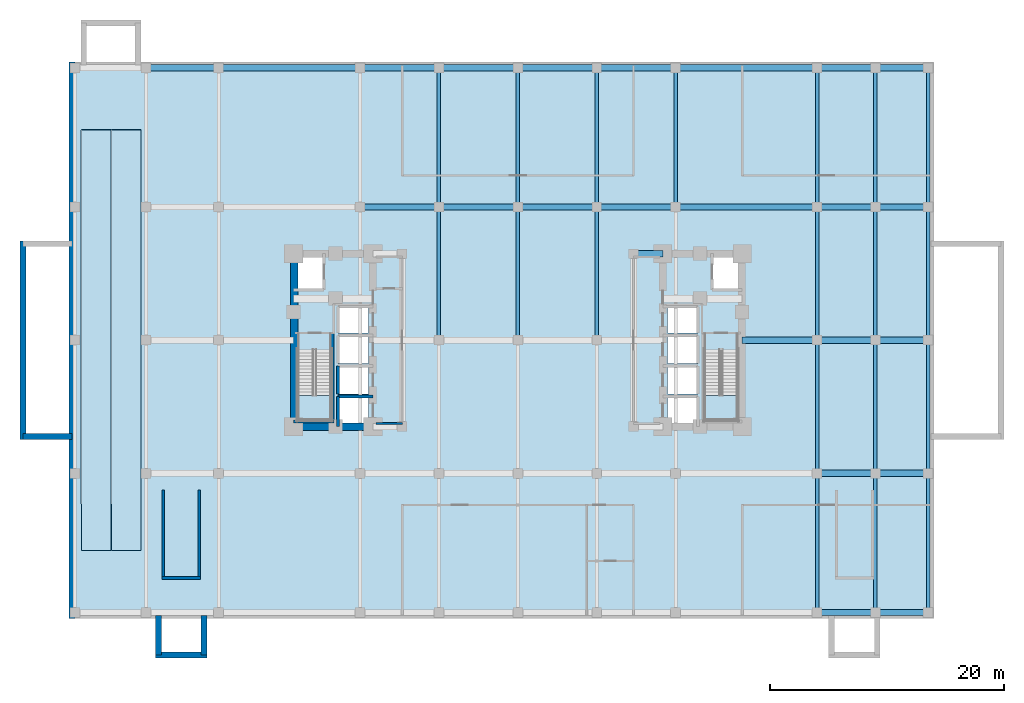
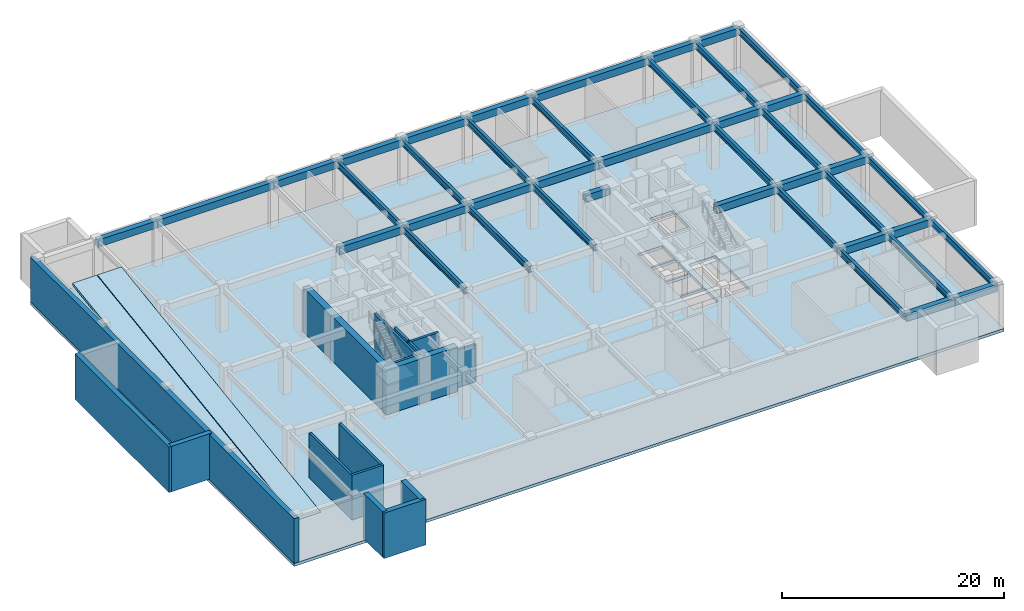
# One storey, part 2 of 7: 43 beams, 17 walls, 5 slabs, 2 elements without a shape of their own.
"""IFC4 building model written with IfcOpenShell, lengths in metres."""

import ifcopenshell
import ifcopenshell.guid

model = None  # the IFC model being written
_history = None  # IfcOwnerHistory: only IFC2X3 demands one
_inside = {}  # id of a spatial element -> (the spatial element, [elements in it])
_under = {}  # id of a project, library or spatial element -> (it, [spatial elements below it])
_declared = {}  # id of a project -> (the project, [libraries it declares])
_typed = {}  # id of a type object -> (the type object, [elements of that type])
_made_of = {}  # id of a material, layer set ... -> (it, [elements and type objects made of it])


def new_model(schema):
    """Start an empty IFC model of exactly this schema.

    Asked for "IFC4X3", IfcOpenShell would pick the latest addendum, in which some entities
    have other attributes; the version numbers below select the first issue.
    IFC2X3 requires an IfcOwnerHistory on every rooted entity: one is made here for all.
    """
    global model, _history
    if schema == "IFC4X3":
        model = ifcopenshell.file(schema_version=(4, 3, 0, 0))
    else:
        model = ifcopenshell.file(schema=schema)
    _inside.clear()
    _under.clear()
    _declared.clear()
    _typed.clear()
    _made_of.clear()
    _history = None
    if model.schema == "IFC2X3":
        org = make("IfcOrganization", Name="unknown")
        user = make(
            "IfcPersonAndOrganization",
            ThePerson=make("IfcPerson", FamilyName="unknown"),
            TheOrganization=org,
        )
        app = make(
            "IfcApplication",
            ApplicationDeveloper=org,
            Version="unknown",
            ApplicationFullName="unknown",
            ApplicationIdentifier="unknown",
        )
        _history = make(
            "IfcOwnerHistory",
            OwningUser=user,
            OwningApplication=app,
            ChangeAction="ADDED",
            CreationDate=0,
        )
    return model


def make(cls, **values):
    """One entity of the class cls with the attributes given. An attribute that is None is left unset."""
    return model.create_entity(
        cls, **{name: value for name, value in values.items() if value is not None}
    )


def rooted(cls, **values):
    """An entity with a GlobalId (a new one), such as an element, a storey or a relation."""
    return make(cls, GlobalId=ifcopenshell.guid.new(), OwnerHistory=_history, **values)


def si_unit(unit_type, name, prefix=None):
    """IfcSIUnit, for example si_unit("LENGTHUNIT", "METRE", prefix="MILLI")."""
    return make("IfcSIUnit", UnitType=unit_type, Prefix=prefix, Name=name)


def assignment(units):
    """IfcUnitAssignment: the units of a project."""
    return None if units is None else make("IfcUnitAssignment", Units=units)


def point(xyz):
    """IfcCartesianPoint."""
    return None if xyz is None else make("IfcCartesianPoint", Coordinates=xyz)


def direction(xyz):
    """IfcDirection."""
    return None if xyz is None else make("IfcDirection", DirectionRatios=xyz)


def frame(location, z_axis=None, x_axis=None):
    """IfcAxis2Placement3D, a coordinate frame: its origin and axes. An axis left out is left unset."""
    return make(
        "IfcAxis2Placement3D",
        Location=point(location),
        Axis=direction(z_axis),
        RefDirection=direction(x_axis),
    )


def frame_2d(location, x_axis=None):
    """IfcAxis2Placement2D, a coordinate frame in the plane: its origin and x axis."""
    return make(
        "IfcAxis2Placement2D", Location=point(location), RefDirection=direction(x_axis)
    )


def origin():
    """The frame at (0, 0, 0) with its axes left unset."""
    return frame((0.0, 0.0, 0.0))


def origin_2d():
    """The frame at (0, 0) in the plane with its x axis left unset."""
    return frame_2d((0.0, 0.0))


def place(relative_to, where):
    """IfcLocalPlacement: puts the frame where relative to a parent placement (None: the world)."""
    return make(
        "IfcLocalPlacement", PlacementRelTo=relative_to, RelativePlacement=where
    )


def context(
    kind, dimensions, precision=None, world=None, true_north=None, identifier=None
):
    """IfcGeometricRepresentationContext, for example the 3D "Model" context."""
    return make(
        "IfcGeometricRepresentationContext",
        ContextIdentifier=identifier,
        ContextType=kind,
        CoordinateSpaceDimension=dimensions,
        Precision=precision,
        WorldCoordinateSystem=world,
        TrueNorth=true_north,
    )


def subcontext(parent, identifier, kind, view, scale=None):
    """IfcGeometricRepresentationSubContext, for example "Body" below "Model"."""
    return make(
        "IfcGeometricRepresentationSubContext",
        ContextIdentifier=identifier,
        ContextType=kind,
        ParentContext=parent,
        TargetScale=scale,
        TargetView=view,
    )


def project(units=None, contexts=None):
    """IfcProject with its units and contexts."""
    return rooted(
        "IfcProject",
        Name="project",
        RepresentationContexts=contexts,
        UnitsInContext=assignment(units),
    )


def spatial(cls, under=None, at=None, **own):
    """A site, building, storey or space (cls), placed at a placement, below another one or the project."""
    s = rooted(cls, ObjectPlacement=at, **own)
    if under is not None:
        _under.setdefault(under.id(), (under, []))[1].append(s)
    return s


def polyline(points):
    """IfcPolyline through the points."""
    return make("IfcPolyline", Points=[point(p) for p in points])


def profile(cls, at=None, kind="AREA", **sizes):
    """A parametric profile (cls). Its sizes go by their IFC names, for example OverallWidth=200.0."""
    return make(cls, ProfileType=kind, Position=at, **sizes)


def rectangle(**sizes):
    """IfcRectangleProfileDef."""
    return profile("IfcRectangleProfileDef", **sizes)


def i_section(**sizes):
    """IfcIShapeProfileDef."""
    return profile("IfcIShapeProfileDef", **sizes)


def outline(outer, holes=None, kind="AREA"):
    """IfcArbitraryClosedProfileDef: a profile drawn as a closed curve; with holes, ...WithVoids."""
    if holes is None:
        return make("IfcArbitraryClosedProfileDef", ProfileType=kind, OuterCurve=outer)
    return make(
        "IfcArbitraryProfileDefWithVoids",
        ProfileType=kind,
        OuterCurve=outer,
        InnerCurves=holes,
    )


def extrude(swept, where, along, depth):
    """IfcExtrudedAreaSolid: the profile swept, set in the frame where, extruded along a direction by depth."""
    return make(
        "IfcExtrudedAreaSolid",
        SweptArea=swept,
        Position=where,
        ExtrudedDirection=direction(along),
        Depth=depth,
    )


def shape(context_of_items, identifier, shape_type, items):
    """IfcShapeRepresentation: the items that make up one representation, for example the "Body"."""
    return make(
        "IfcShapeRepresentation",
        ContextOfItems=context_of_items,
        RepresentationIdentifier=identifier,
        RepresentationType=shape_type,
        Items=items,
    )


def material(Name=None, Category=None):
    """IfcMaterial."""
    return make("IfcMaterial", Name=Name, Category=Category)


def layer(
    of_material, thickness, ventilated=None, Name=None, Category=None, Priority=None
):
    """IfcMaterialLayer: one layer of a wall or slab, of a material (None: an air gap)."""
    return make(
        "IfcMaterialLayer",
        Material=of_material,
        LayerThickness=thickness,
        IsVentilated=ventilated,
        Name=Name,
        Category=Category,
        Priority=Priority,
    )


def layer_set(layers, Name=None):
    """IfcMaterialLayerSet."""
    return make("IfcMaterialLayerSet", MaterialLayers=layers, LayerSetName=Name)


def material_profile(
    of_material, cross_section, Name=None, Category=None, Priority=None
):
    """IfcMaterialProfile: a cross section and its material."""
    return make(
        "IfcMaterialProfile",
        Name=Name,
        Material=of_material,
        Profile=cross_section,
        Priority=Priority,
        Category=Category,
    )


def profile_set(profiles, Name=None, composite=None):
    """IfcMaterialProfileSet."""
    return make(
        "IfcMaterialProfileSet",
        Name=Name,
        MaterialProfiles=profiles,
        CompositeProfile=composite,
    )


def made_of(thing, what):
    """Note that an element or type object is made of a material, layer set ...; save() writes the relation."""
    if what is not None:
        _made_of.setdefault(what.id(), (what, []))[1].append(thing)
    return thing


def type_object(cls, material=None, **own):
    """A type object (cls), such as IfcWallType, which elements share."""
    return made_of(rooted(cls, **own), material)


def element(
    cls,
    number,
    at=None,
    inside=None,
    cuts=None,
    type_object=None,
    material=None,
    context=None,
    identifier="Body",
    shape_type=None,
    held_by="IfcProductDefinitionShape",
    body=None,
    shapes=None,
    **own,
):
    """One element of the class cls, such as IfcWall. Its Tag is "e" and its number.

    at: its placement. inside: the storey or other place that contains it. cuts: it is an
    opening in that element (IfcRelVoidsElement). A single representation is given by context,
    identifier, shape_type and body (its items); several are given by shapes. held_by: the class
    of the entity that holds the representations. save() writes the other relations.
    """
    e = rooted(cls, Tag="e%d" % number, ObjectPlacement=at, **own)
    if body is not None:
        shapes = [shape(context, identifier, shape_type, body)]
    if shapes is not None:
        e.Representation = make(held_by, Representations=shapes)
    if inside is not None:
        _inside.setdefault(inside.id(), (inside, []))[1].append(e)
    if cuts is not None:
        rooted(
            "IfcRelVoidsElement", RelatingBuildingElement=cuts, RelatedOpeningElement=e
        )
    if type_object is not None:
        _typed.setdefault(type_object.id(), (type_object, []))[1].append(e)
    return made_of(e, material)


def aggregate(whole, parts):
    """IfcRelAggregates: a whole, such as a stair, and the parts it consists of."""
    return rooted("IfcRelAggregates", RelatingObject=whole, RelatedObjects=parts)


def save(model, path):
    """Write the relations noted so far, then the file.

    IfcRelAggregates (storeys below a building ...), IfcRelContainedInSpatialStructure (elements
    in a storey), IfcRelDefinesByType, IfcRelAssociatesMaterial and IfcRelDeclares: one each for
    every whole, place, type object, material and project.
    """
    for whole, parts in _under.values():
        aggregate(whole, parts)
    for where, things in _inside.values():
        rooted(
            "IfcRelContainedInSpatialStructure",
            RelatedElements=things,
            RelatingStructure=where,
        )
    for kind, things in _typed.values():
        rooted("IfcRelDefinesByType", RelatedObjects=things, RelatingType=kind)
    for what, things in _made_of.values():
        rooted("IfcRelAssociatesMaterial", RelatedObjects=things, RelatingMaterial=what)
    for by, libraries in _declared.values():
        rooted("IfcRelDeclares", RelatingContext=by, RelatedDefinitions=libraries)
    model.write(path)


model = new_model("IFC4")

# Units and contexts
model_context = context("Model", 3, precision=1e-05, world=origin(), true_north=direction((0.0, 1.0)))
body_context = subcontext(model_context, "Body", "Model", "MODEL_VIEW")
ifc_project = project(units=[si_unit("LENGTHUNIT", "METRE"), si_unit("AREAUNIT", "SQUARE_METRE"), si_unit("VOLUMEUNIT", "CUBIC_METRE"), si_unit("PLANEANGLEUNIT", "RADIAN"), si_unit("MASSUNIT", "GRAM", prefix="KILO")], contexts=[model_context])

# Site, building, storey
site_placement = place(None, origin())
site = spatial("IfcSite", under=ifc_project, at=site_placement, CompositionType="ELEMENT")
building_placement = place(site_placement, origin())
building = spatial("IfcBuilding", under=site, at=building_placement, Name="Voryun Gate Residences", CompositionType="ELEMENT")
storey_placement = place(building_placement, frame((0.0, 0.0, -5.199951171875)))
storey = spatial("IfcBuildingStorey", under=building, at=storey_placement, Name="B01", CompositionType="ELEMENT", Elevation=-5.199951171875)

# Beams
ifc_material_1 = material(Name="Concrete C50/60", Category="concrete")
ifc_material_profile_1 = material_profile(ifc_material_1, rectangle(XDim=0.550048828125, YDim=0.800048828125, at=origin_2d()), Name="RC-550x800")
ifc_profile_set_1 = profile_set([ifc_material_profile_1], Name="Concrete C50/60")
beam_type_1 = type_object("IfcBeamType", Name="BM_BSMT_RC800", PredefinedType="BEAM", material=ifc_profile_set_1)
beam_1_placement = place(storey_placement, frame((12.39990234375, 7.39990234375, 4.52001953125), z_axis=(-1.0, 0.0, 0.0), x_axis=(0.0, -1.0, 0.0)))
element("IfcBeam", 1, at=beam_1_placement, inside=storey, type_object=beam_type_1, Name="BM-B01-CLRX-CLR-EN", PredefinedType="BEAM", context=body_context, shape_type="SweptSolid", body=[
    extrude(rectangle(XDim=0.550048828125, YDim=0.800048828125, at=origin_2d()), origin(), (0.0, 0.0, 1.0), 2.5),
])
beam_2_placement = place(storey_placement, frame((25.60009765625, -23.300048828125, 4.52001953125), z_axis=(1.0, 0.0, 0.0), x_axis=(0.0, 1.0, 0.0)))
element("IfcBeam", 2, at=beam_2_placement, inside=storey, type_object=beam_type_1, Name="BM-B01-BX--23.3-8", PredefinedType="BEAM", context=body_context, shape_type="SweptSolid", body=[
    extrude(rectangle(XDim=0.550048828125, YDim=0.800048828125, at=origin_2d()), origin(), (0.0, 0.0, 1.0), 5.0),
])
beam_3_placement = place(storey_placement, frame((30.60009765625, -23.300048828125, 4.52001953125), z_axis=(1.0, 0.0, 0.0), x_axis=(0.0, 1.0, 0.0)))
element("IfcBeam", 3, at=beam_3_placement, inside=storey, type_object=beam_type_1, Name="BM-B01-BX--23.3-9", PredefinedType="BEAM", context=body_context, shape_type="SweptSolid", body=[
    extrude(rectangle(XDim=0.550048828125, YDim=0.800048828125, at=origin_2d()), origin(), (0.0, 0.0, 1.0), 4.5),
])
beam_4_placement = place(storey_placement, frame((25.60009765625, -11.39990234375, 4.52001953125), z_axis=(1.0, 0.0, 0.0), x_axis=(0.0, 1.0, 0.0)))
element("IfcBeam", 4, at=beam_4_placement, inside=storey, type_object=beam_type_1, Name="BM-B01-BX--11.4-8", PredefinedType="BEAM", context=body_context, shape_type="SweptSolid", body=[
    extrude(rectangle(XDim=0.550048828125, YDim=0.800048828125, at=origin_2d()), origin(), (0.0, 0.0, 1.0), 5.0),
])
beam_5_placement = place(storey_placement, frame((30.60009765625, -11.39990234375, 4.52001953125), z_axis=(1.0, 0.0, 0.0), x_axis=(0.0, 1.0, 0.0)))
element("IfcBeam", 5, at=beam_5_placement, inside=storey, type_object=beam_type_1, Name="BM-B01-BX--11.4-9", PredefinedType="BEAM", context=body_context, shape_type="SweptSolid", body=[
    extrude(rectangle(XDim=0.550048828125, YDim=0.800048828125, at=origin_2d()), origin(), (0.0, 0.0, 1.0), 4.5),
])
beam_6_placement = place(storey_placement, frame((19.199951171875, 0.0, 4.52001953125), z_axis=(1.0, 0.0, 0.0), x_axis=(0.0, 1.0, 0.0)))
element("IfcBeam", 6, at=beam_6_placement, inside=storey, type_object=beam_type_1, Name="BM-B01-BX-+0.0-9", PredefinedType="BEAM", context=body_context, shape_type="SweptSolid", body=[
    extrude(rectangle(XDim=0.550048828125, YDim=0.800048828125, at=origin_2d()), origin(), (0.0, 0.0, 1.0), 6.400146484375),
])
beam_7_placement = place(storey_placement, frame((25.60009765625, 0.0, 4.52001953125), z_axis=(1.0, 0.0, 0.0), x_axis=(0.0, 1.0, 0.0)))
element("IfcBeam", 7, at=beam_7_placement, inside=storey, type_object=beam_type_1, Name="BM-B01-BX-+0.0-10", PredefinedType="BEAM", context=body_context, shape_type="SweptSolid", body=[
    extrude(rectangle(XDim=0.550048828125, YDim=0.800048828125, at=origin_2d()), origin(), (0.0, 0.0, 1.0), 5.0),
])
beam_8_placement = place(storey_placement, frame((30.60009765625, 0.0, 4.52001953125), z_axis=(1.0, 0.0, 0.0), x_axis=(0.0, 1.0, 0.0)))
element("IfcBeam", 8, at=beam_8_placement, inside=storey, type_object=beam_type_1, Name="BM-B01-BX-+0.0-11", PredefinedType="BEAM", context=body_context, shape_type="SweptSolid", body=[
    extrude(rectangle(XDim=0.550048828125, YDim=0.800048828125, at=origin_2d()), origin(), (0.0, 0.0, 1.0), 4.5),
])
for number, where, z_axis, x_axis, name in (
    (9, (-13.5, 11.39990234375, 4.52001953125), (1.0, 0.0, 0.0), (0.0, 1.0, 0.0), "BM-B01-BX-+11.4-3"),
    (10, (-6.75, 11.39990234375, 4.52001953125), (1.0, 0.0, 0.0), (0.0, 1.0, 0.0), "BM-B01-BX-+11.4-4"),
    (11, (0.0, 11.39990234375, 4.52001953125), (1.0, 0.0, 0.0), (0.0, 1.0, 0.0), "BM-B01-BX-+11.4-5"),
    (12, (6.75, 11.39990234375, 4.52001953125), (1.0, 0.0, 0.0), (0.0, 1.0, 0.0), "BM-B01-BX-+11.4-6"),
):
    element("IfcBeam", number, at=place(storey_placement, frame(where, z_axis=z_axis, x_axis=x_axis)), inside=storey, type_object=beam_type_1, Name=name, PredefinedType="BEAM", context=body_context, shape_type="SweptSolid", body=[
        extrude(rectangle(XDim=0.550048828125, YDim=0.800048828125, at=origin_2d()), origin(), (0.0, 0.0, 1.0), 6.75),
    ])
beam_9_placement = place(storey_placement, frame((13.5, 11.39990234375, 4.52001953125), z_axis=(1.0, 0.0, 0.0), x_axis=(0.0, 1.0, 0.0)))
element("IfcBeam", 13, at=beam_9_placement, inside=storey, type_object=beam_type_1, Name="BM-B01-BX-+11.4-7", PredefinedType="BEAM", context=body_context, shape_type="SweptSolid", body=[
    extrude(rectangle(XDim=0.550048828125, YDim=0.800048828125, at=origin_2d()), origin(), (0.0, 0.0, 1.0), 12.10009765625),
])
beam_10_placement = place(storey_placement, frame((25.60009765625, 11.39990234375, 4.52001953125), z_axis=(1.0, 0.0, 0.0), x_axis=(0.0, 1.0, 0.0)))
element("IfcBeam", 14, at=beam_10_placement, inside=storey, type_object=beam_type_1, Name="BM-B01-BX-+11.4-8", PredefinedType="BEAM", context=body_context, shape_type="SweptSolid", body=[
    extrude(rectangle(XDim=0.550048828125, YDim=0.800048828125, at=origin_2d()), origin(), (0.0, 0.0, 1.0), 5.0),
])
beam_11_placement = place(storey_placement, frame((30.60009765625, 11.39990234375, 4.52001953125), z_axis=(1.0, 0.0, 0.0), x_axis=(0.0, 1.0, 0.0)))
element("IfcBeam", 15, at=beam_11_placement, inside=storey, type_object=beam_type_1, Name="BM-B01-BX-+11.4-9", PredefinedType="BEAM", context=body_context, shape_type="SweptSolid", body=[
    extrude(rectangle(XDim=0.550048828125, YDim=0.800048828125, at=origin_2d()), origin(), (0.0, 0.0, 1.0), 4.5),
])
beam_12_placement = place(storey_placement, frame((-31.800048828125, 23.300048828125, 4.52001953125), z_axis=(1.0, 0.0, 0.0), x_axis=(0.0, 1.0, 0.0)))
element("IfcBeam", 16, at=beam_12_placement, inside=storey, type_object=beam_type_1, Name="BM-B01-BX-+23.3-1", PredefinedType="BEAM", context=body_context, shape_type="SweptSolid", body=[
    extrude(rectangle(XDim=0.550048828125, YDim=0.800048828125, at=origin_2d()), origin(), (0.0, 0.0, 1.0), 6.199951171875),
])
beam_13_placement = place(storey_placement, frame((-25.60009765625, 23.300048828125, 4.52001953125), z_axis=(1.0, 0.0, 0.0), x_axis=(0.0, 1.0, 0.0)))
element("IfcBeam", 17, at=beam_13_placement, inside=storey, type_object=beam_type_1, Name="BM-B01-BX-+23.3-2", PredefinedType="BEAM", context=body_context, shape_type="SweptSolid", body=[
    extrude(rectangle(XDim=0.550048828125, YDim=0.800048828125, at=origin_2d()), origin(), (0.0, 0.0, 1.0), 12.10009765625),
])
for number, where, z_axis, x_axis, name in (
    (18, (-13.5, 23.300048828125, 4.52001953125), (1.0, 0.0, 0.0), (0.0, 1.0, 0.0), "BM-B01-BX-+23.3-3"),
    (19, (-6.75, 23.300048828125, 4.52001953125), (1.0, 0.0, 0.0), (0.0, 1.0, 0.0), "BM-B01-BX-+23.3-4"),
    (20, (0.0, 23.300048828125, 4.52001953125), (1.0, 0.0, 0.0), (0.0, 1.0, 0.0), "BM-B01-BX-+23.3-5"),
    (21, (6.75, 23.300048828125, 4.52001953125), (1.0, 0.0, 0.0), (0.0, 1.0, 0.0), "BM-B01-BX-+23.3-6"),
):
    element("IfcBeam", number, at=place(storey_placement, frame(where, z_axis=z_axis, x_axis=x_axis)), inside=storey, type_object=beam_type_1, Name=name, PredefinedType="BEAM", context=body_context, shape_type="SweptSolid", body=[
        extrude(rectangle(XDim=0.550048828125, YDim=0.800048828125, at=origin_2d()), origin(), (0.0, 0.0, 1.0), 6.75),
    ])
beam_14_placement = place(storey_placement, frame((13.5, 23.300048828125, 4.52001953125), z_axis=(1.0, 0.0, 0.0), x_axis=(0.0, 1.0, 0.0)))
element("IfcBeam", 22, at=beam_14_placement, inside=storey, type_object=beam_type_1, Name="BM-B01-BX-+23.3-7", PredefinedType="BEAM", context=body_context, shape_type="SweptSolid", body=[
    extrude(rectangle(XDim=0.550048828125, YDim=0.800048828125, at=origin_2d()), origin(), (0.0, 0.0, 1.0), 12.10009765625),
])
beam_15_placement = place(storey_placement, frame((25.60009765625, 23.300048828125, 4.52001953125), z_axis=(1.0, 0.0, 0.0), x_axis=(0.0, 1.0, 0.0)))
element("IfcBeam", 23, at=beam_15_placement, inside=storey, type_object=beam_type_1, Name="BM-B01-BX-+23.3-8", PredefinedType="BEAM", context=body_context, shape_type="SweptSolid", body=[
    extrude(rectangle(XDim=0.550048828125, YDim=0.800048828125, at=origin_2d()), origin(), (0.0, 0.0, 1.0), 5.0),
])
beam_16_placement = place(storey_placement, frame((30.60009765625, 23.300048828125, 4.52001953125), z_axis=(1.0, 0.0, 0.0), x_axis=(0.0, 1.0, 0.0)))
element("IfcBeam", 24, at=beam_16_placement, inside=storey, type_object=beam_type_1, Name="BM-B01-BX-+23.3-9", PredefinedType="BEAM", context=body_context, shape_type="SweptSolid", body=[
    extrude(rectangle(XDim=0.550048828125, YDim=0.800048828125, at=origin_2d()), origin(), (0.0, 0.0, 1.0), 4.5),
])
ifc_material_2 = material(Name="Steel SM355", Category="steel")
ifc_material_profile_2 = material_profile(ifc_material_2, i_section(OverallWidth=0.300048828125, OverallDepth=0.699951171875, WebThickness=0.012939453125, FlangeThickness=0.02392578125, FilletRadius=0.01806640625, at=origin_2d()), Name="H-700x300x13x24")
ifc_profile_set_2 = profile_set([ifc_material_profile_2], Name="Steel SM355")
beam_type_2 = type_object("IfcBeamType", Name="BM_GIRD_700", PredefinedType="USERDEFINED", material=ifc_profile_set_2)
beam_17_placement = place(storey_placement, frame((-6.75, 0.0, 4.570068359375), z_axis=(0.0, 1.0, 0.0), x_axis=(-1.0, 0.0, 0.0)))
element("IfcBeam", 25, at=beam_17_placement, inside=storey, type_object=beam_type_2, Name="BM-B01-BY--6.8-2", ObjectType="GIRDER", PredefinedType="USERDEFINED", context=body_context, shape_type="SweptSolid", body=[
    extrude(i_section(OverallWidth=0.300048828125, OverallDepth=0.699951171875, WebThickness=0.012939453125, FlangeThickness=0.02392578125, FilletRadius=0.01806640625, at=origin_2d()), origin(), (0.0, 0.0, 1.0), 11.39990234375),
])
beam_18_placement = place(storey_placement, frame((-6.75, 11.39990234375, 4.570068359375), z_axis=(0.0, 1.0, 0.0), x_axis=(-1.0, 0.0, 0.0)))
element("IfcBeam", 26, at=beam_18_placement, inside=storey, type_object=beam_type_2, Name="BM-B01-BY--6.8-3", ObjectType="GIRDER", PredefinedType="USERDEFINED", context=body_context, shape_type="SweptSolid", body=[
    extrude(i_section(OverallWidth=0.300048828125, OverallDepth=0.699951171875, WebThickness=0.012939453125, FlangeThickness=0.02392578125, FilletRadius=0.01806640625, at=origin_2d()), origin(), (0.0, 0.0, 1.0), 11.900146484375),
])
beam_19_placement = place(storey_placement, frame((0.0, 0.0, 4.570068359375), z_axis=(0.0, 1.0, 0.0), x_axis=(-1.0, 0.0, 0.0)))
element("IfcBeam", 27, at=beam_19_placement, inside=storey, type_object=beam_type_2, Name="BM-B01-BY-+0.0-2", ObjectType="GIRDER", PredefinedType="USERDEFINED", context=body_context, shape_type="SweptSolid", body=[
    extrude(i_section(OverallWidth=0.300048828125, OverallDepth=0.699951171875, WebThickness=0.012939453125, FlangeThickness=0.02392578125, FilletRadius=0.01806640625, at=origin_2d()), origin(), (0.0, 0.0, 1.0), 11.39990234375),
])
beam_20_placement = place(storey_placement, frame((0.0, 11.39990234375, 4.570068359375), z_axis=(0.0, 1.0, 0.0), x_axis=(-1.0, 0.0, 0.0)))
element("IfcBeam", 28, at=beam_20_placement, inside=storey, type_object=beam_type_2, Name="BM-B01-BY-+0.0-3", ObjectType="GIRDER", PredefinedType="USERDEFINED", context=body_context, shape_type="SweptSolid", body=[
    extrude(i_section(OverallWidth=0.300048828125, OverallDepth=0.699951171875, WebThickness=0.012939453125, FlangeThickness=0.02392578125, FilletRadius=0.01806640625, at=origin_2d()), origin(), (0.0, 0.0, 1.0), 11.900146484375),
])
beam_21_placement = place(storey_placement, frame((6.75, 0.0, 4.570068359375), z_axis=(0.0, 1.0, 0.0), x_axis=(-1.0, 0.0, 0.0)))
element("IfcBeam", 29, at=beam_21_placement, inside=storey, type_object=beam_type_2, Name="BM-B01-BY-+6.8-2", ObjectType="GIRDER", PredefinedType="USERDEFINED", context=body_context, shape_type="SweptSolid", body=[
    extrude(i_section(OverallWidth=0.300048828125, OverallDepth=0.699951171875, WebThickness=0.012939453125, FlangeThickness=0.02392578125, FilletRadius=0.01806640625, at=origin_2d()), origin(), (0.0, 0.0, 1.0), 11.39990234375),
])
for number, where, z_axis, x_axis, name in (
    (30, (6.75, 11.39990234375, 4.570068359375), (0.0, 1.0, 0.0), (-1.0, 0.0, 0.0), "BM-B01-BY-+6.8-3"),
    (31, (13.5, 11.39990234375, 4.570068359375), (0.0, 1.0, 0.0), (-1.0, 0.0, 0.0), "BM-B01-BY-+13.5-2"),
    (32, (25.60009765625, -23.300048828125, 4.570068359375), (0.0, 1.0, 0.0), (-1.0, 0.0, 0.0), "BM-B01-BY-+25.6-0"),
):
    element("IfcBeam", number, at=place(storey_placement, frame(where, z_axis=z_axis, x_axis=x_axis)), inside=storey, type_object=beam_type_2, Name=name, ObjectType="GIRDER", PredefinedType="USERDEFINED", context=body_context, shape_type="SweptSolid", body=[
        extrude(i_section(OverallWidth=0.300048828125, OverallDepth=0.699951171875, WebThickness=0.012939453125, FlangeThickness=0.02392578125, FilletRadius=0.01806640625, at=origin_2d()), origin(), (0.0, 0.0, 1.0), 11.900146484375),
    ])
for number, where, z_axis, x_axis, name in (
    (33, (25.60009765625, -11.39990234375, 4.570068359375), (0.0, 1.0, 0.0), (-1.0, 0.0, 0.0), "BM-B01-BY-+25.6-1"),
    (34, (25.60009765625, 0.0, 4.570068359375), (0.0, 1.0, 0.0), (-1.0, 0.0, 0.0), "BM-B01-BY-+25.6-2"),
):
    element("IfcBeam", number, at=place(storey_placement, frame(where, z_axis=z_axis, x_axis=x_axis)), inside=storey, type_object=beam_type_2, Name=name, ObjectType="GIRDER", PredefinedType="USERDEFINED", context=body_context, shape_type="SweptSolid", body=[
        extrude(i_section(OverallWidth=0.300048828125, OverallDepth=0.699951171875, WebThickness=0.012939453125, FlangeThickness=0.02392578125, FilletRadius=0.01806640625, at=origin_2d()), origin(), (0.0, 0.0, 1.0), 11.39990234375),
    ])
for number, where, z_axis, x_axis, name in (
    (35, (25.60009765625, 11.39990234375, 4.570068359375), (0.0, 1.0, 0.0), (-1.0, 0.0, 0.0), "BM-B01-BY-+25.6-3"),
    (36, (30.60009765625, -23.300048828125, 4.570068359375), (0.0, 1.0, 0.0), (-1.0, 0.0, 0.0), "BM-B01-BY-+30.6-0"),
):
    element("IfcBeam", number, at=place(storey_placement, frame(where, z_axis=z_axis, x_axis=x_axis)), inside=storey, type_object=beam_type_2, Name=name, ObjectType="GIRDER", PredefinedType="USERDEFINED", context=body_context, shape_type="SweptSolid", body=[
        extrude(i_section(OverallWidth=0.300048828125, OverallDepth=0.699951171875, WebThickness=0.012939453125, FlangeThickness=0.02392578125, FilletRadius=0.01806640625, at=origin_2d()), origin(), (0.0, 0.0, 1.0), 11.900146484375),
    ])
for number, where, z_axis, x_axis, name in (
    (37, (30.60009765625, -11.39990234375, 4.570068359375), (0.0, 1.0, 0.0), (-1.0, 0.0, 0.0), "BM-B01-BY-+30.6-1"),
    (38, (30.60009765625, 0.0, 4.570068359375), (0.0, 1.0, 0.0), (-1.0, 0.0, 0.0), "BM-B01-BY-+30.6-2"),
):
    element("IfcBeam", number, at=place(storey_placement, frame(where, z_axis=z_axis, x_axis=x_axis)), inside=storey, type_object=beam_type_2, Name=name, ObjectType="GIRDER", PredefinedType="USERDEFINED", context=body_context, shape_type="SweptSolid", body=[
        extrude(i_section(OverallWidth=0.300048828125, OverallDepth=0.699951171875, WebThickness=0.012939453125, FlangeThickness=0.02392578125, FilletRadius=0.01806640625, at=origin_2d()), origin(), (0.0, 0.0, 1.0), 11.39990234375),
    ])
for number, where, z_axis, x_axis, name in (
    (39, (30.60009765625, 11.39990234375, 4.570068359375), (0.0, 1.0, 0.0), (-1.0, 0.0, 0.0), "BM-B01-BY-+30.6-3"),
    (40, (35.10009765625, -23.300048828125, 4.570068359375), (0.0, 1.0, 0.0), (-1.0, 0.0, 0.0), "BM-B01-BY-+35.1-0"),
):
    element("IfcBeam", number, at=place(storey_placement, frame(where, z_axis=z_axis, x_axis=x_axis)), inside=storey, type_object=beam_type_2, Name=name, ObjectType="GIRDER", PredefinedType="USERDEFINED", context=body_context, shape_type="SweptSolid", body=[
        extrude(i_section(OverallWidth=0.300048828125, OverallDepth=0.699951171875, WebThickness=0.012939453125, FlangeThickness=0.02392578125, FilletRadius=0.01806640625, at=origin_2d()), origin(), (0.0, 0.0, 1.0), 11.900146484375),
    ])
for number, where, z_axis, x_axis, name in (
    (41, (35.10009765625, -11.39990234375, 4.570068359375), (0.0, 1.0, 0.0), (-1.0, 0.0, 0.0), "BM-B01-BY-+35.1-1"),
    (42, (35.10009765625, 0.0, 4.570068359375), (0.0, 1.0, 0.0), (-1.0, 0.0, 0.0), "BM-B01-BY-+35.1-2"),
):
    element("IfcBeam", number, at=place(storey_placement, frame(where, z_axis=z_axis, x_axis=x_axis)), inside=storey, type_object=beam_type_2, Name=name, ObjectType="GIRDER", PredefinedType="USERDEFINED", context=body_context, shape_type="SweptSolid", body=[
        extrude(i_section(OverallWidth=0.300048828125, OverallDepth=0.699951171875, WebThickness=0.012939453125, FlangeThickness=0.02392578125, FilletRadius=0.01806640625, at=origin_2d()), origin(), (0.0, 0.0, 1.0), 11.39990234375),
    ])
beam_22_placement = place(storey_placement, frame((35.10009765625, 11.39990234375, 4.570068359375), z_axis=(0.0, 1.0, 0.0), x_axis=(-1.0, 0.0, 0.0)))
element("IfcBeam", 43, at=beam_22_placement, inside=storey, type_object=beam_type_2, Name="BM-B01-BY-+35.1-3", ObjectType="GIRDER", PredefinedType="USERDEFINED", context=body_context, shape_type="SweptSolid", body=[
    extrude(i_section(OverallWidth=0.300048828125, OverallDepth=0.699951171875, WebThickness=0.012939453125, FlangeThickness=0.02392578125, FilletRadius=0.01806640625, at=origin_2d()), origin(), (0.0, 0.0, 1.0), 11.900146484375),
])

# Slabs
ifc_material_3 = material(Name="Concrete C50/60", Category="concrete")
ifc_layer_1 = layer(ifc_material_3, 0.320068359375, Name="SLB_BSMT_320")
ifc_layer_set_1 = layer_set([ifc_layer_1], Name="Concrete C50/60")
slab_type_1 = type_object("IfcSlabType", Name="SLB_BSMT_320", PredefinedType="FLOOR", material=ifc_layer_set_1)
slab_1_placement = place(storey_placement, frame((0.0, 0.0, -0.320068359375)))
element("IfcSlab", 44, at=slab_1_placement, inside=storey, type_object=slab_type_1, Name="B01 Basement Parking Slab", PredefinedType="FLOOR", context=body_context, shape_type="SweptSolid", body=[
    extrude(outline(polyline([(-38.39990234375, 23.800048828125), (35.60009765625, 23.800048828125), (35.60009765625, -23.800048828125), (-38.39990234375, -23.800048828125), (-38.39990234375, 23.800048828125)]), holes=[polyline([(-12.800048828125, -4.800048828125), (-15.39990234375, -4.800048828125), (-15.39990234375, -7.199951171875), (-12.800048828125, -7.199951171875), (-12.800048828125, -4.800048828125)]), polyline([(-18.824951171875, -6.85009765625), (-15.97509765625, -6.85009765625), (-15.97509765625, -0.840087890625), (-18.824951171875, -0.840087890625), (-18.824951171875, -6.85009765625)]), polyline([(-12.800048828125, -4.60009765625), (-12.800048828125, -2.199951171875), (-15.39990234375, -2.199951171875), (-15.39990234375, -4.60009765625), (-12.800048828125, -4.60009765625)]), polyline([(-12.800048828125, 0.39990234375), (-15.39990234375, 0.39990234375), (-15.39990234375, -2.0), (-12.800048828125, -2.0), (-12.800048828125, 0.39990234375)]), polyline([(-12.800048828125, 0.60009765625), (-12.800048828125, 2.89990234375), (-15.39990234375, 2.89990234375), (-15.39990234375, 0.60009765625), (-12.800048828125, 0.60009765625)]), polyline([(-32.25, -14.0), (-32.25, 18.0), (-37.39990234375, 18.0), (-37.39990234375, -14.0), (-32.25, -14.0)]), polyline([(-16.60009765625, 7.199951171875), (-19.0, 7.199951171875), (-19.0, 4.300048828125), (-16.60009765625, 4.300048828125), (-16.60009765625, 7.199951171875)]), polyline([(15.39990234375, -7.199951171875), (15.39990234375, -4.800048828125), (12.800048828125, -4.800048828125), (12.800048828125, -7.199951171875), (15.39990234375, -7.199951171875)]), polyline([(15.97509765625, -6.85009765625), (18.824951171875, -6.85009765625), (18.824951171875, -0.840087890625), (15.97509765625, -0.840087890625), (15.97509765625, -6.85009765625)]), polyline([(15.39990234375, -4.60009765625), (15.39990234375, -2.199951171875), (12.800048828125, -2.199951171875), (12.800048828125, -4.60009765625), (15.39990234375, -4.60009765625)]), polyline([(15.39990234375, -2.0), (15.39990234375, 0.39990234375), (12.800048828125, 0.39990234375), (12.800048828125, -2.0), (15.39990234375, -2.0)]), polyline([(15.39990234375, 0.60009765625), (15.39990234375, 2.89990234375), (12.800048828125, 2.89990234375), (12.800048828125, 0.60009765625), (15.39990234375, 0.60009765625)]), polyline([(19.0, 4.300048828125), (19.0, 7.199951171875), (16.60009765625, 7.199951171875), (16.60009765625, 4.300048828125), (19.0, 4.300048828125)])]), origin(), (0.0, 0.0, 1.0), 0.320068359375),
])
ifc_material_4 = material(Name="Concrete C40/50", Category="concrete")
ifc_layer_2 = layer(ifc_material_4, 0.260009765625, Name="SLB_RAMP_SLOPED_260")
ifc_layer_set_2 = layer_set([ifc_layer_2], Name="Concrete C40/50")
slab_type_2 = type_object("IfcSlabType", Name="SLB_RAMP_SLOPED_260", PredefinedType="FLOOR", material=ifc_layer_set_2)
for number, where, z_axis, x_axis, name in (
    (45, (-37.35009765625, -18.0, 0.0), (0.0, -0.142959447686, 0.989728546783), (1.0, 0.0, 0.0), "Car park vehicle ramp B01-L00 lane 1"),
    (46, (-34.77001953125, -18.0, 0.0), (0.0, -0.142959447686, 0.989728546783), (1.0, 0.0, 0.0), "Car park vehicle ramp B01-L00 lane 2"),
):
    element("IfcSlab", number, at=place(storey_placement, frame(where, z_axis=z_axis, x_axis=x_axis)), inside=storey, type_object=slab_type_2, Name=name, PredefinedType="FLOOR", context=body_context, shape_type="SweptSolid", body=[
        extrude(outline(polyline([(0.0, 0.0), (2.52001953125, 0.0), (2.52001953125, 36.37360983171569), (0.0, 36.37360983171569), (0.0, 0.0)])), origin(), (0.0, 0.0, -1.0), 0.260009765625),
    ])

# Stair, slab
ifc_material_5 = material(Name="Concrete C40/50", Category="concrete")
stair_type = type_object("IfcStairType", Name="STR_CORE_DOGLEG_1350", PredefinedType="HALF_TURN_STAIR", material=ifc_material_5)
stair_1_placement = place(storey_placement, origin())
stair_1 = element("IfcStair", 47, at=stair_1_placement, inside=storey, type_object=stair_type, Name="B01 Special Escape Stair ST-W1", PredefinedType="HALF_TURN_STAIR")
ifc_material_6 = material(Name="Concrete C40/50", Category="concrete")
ifc_layer_3 = layer(ifc_material_6, 0.199951171875, Name="SLB_STAIR_LANDING_200")
ifc_layer_set_3 = layer_set([ifc_layer_3], Name="Concrete C40/50")
slab_type_3 = type_object("IfcSlabType", Name="SLB_STAIR_LANDING_200", PredefinedType="LANDING", material=ifc_layer_set_3)
slab_2_placement = place(storey_placement, frame((0.0, 0.0, 2.39990234375)))
slab_2 = element("IfcSlab", 48, at=slab_2_placement, type_object=slab_type_3, Name="ST-W1 landing 1", PredefinedType="LANDING", context=body_context, shape_type="SweptSolid", body=[
    extrude(outline(polyline([(-18.824951171875, -4.719970703125), (-18.824951171875, -6.85009765625), (-15.97509765625, -6.85009765625), (-15.97509765625, -4.719970703125), (-18.824951171875, -4.719970703125)])), origin(), (0.0, 0.0, 1.0), 0.199951171875),
])
aggregate(stair_1, [slab_2])

stair_2_placement = place(storey_placement, origin())
stair_2 = element("IfcStair", 49, at=stair_2_placement, inside=storey, type_object=stair_type, Name="B01 Special Escape Stair ST-E1", PredefinedType="HALF_TURN_STAIR")
slab_3_placement = place(storey_placement, frame((0.0, 0.0, 2.39990234375)))
slab_3 = element("IfcSlab", 50, at=slab_3_placement, type_object=slab_type_3, Name="ST-E1 landing 1", PredefinedType="LANDING", context=body_context, shape_type="SweptSolid", body=[
    extrude(outline(polyline([(15.97509765625, -4.719970703125), (15.97509765625, -6.85009765625), (18.824951171875, -6.85009765625), (18.824951171875, -4.719970703125), (15.97509765625, -4.719970703125)])), origin(), (0.0, 0.0, 1.0), 0.199951171875),
])
aggregate(stair_2, [slab_3])

# Walls
ifc_material_7 = material(Name="Concrete C50/60", Category="concrete")
ifc_layer_4 = layer(ifc_material_7, 0.5, Name="CW_BSMT_RET_500")
ifc_layer_set_4 = layer_set([ifc_layer_4], Name="Concrete C50/60")
wall_type_1 = type_object("IfcWallType", Name="CW_BSMT_RET_500", PredefinedType="USERDEFINED", material=ifc_layer_set_4)
for number, where, z_axis, x_axis, name in (
    (51, (-30.75, -26.949951171875, 0.0), (0.0, 0.0, 1.0), (0.0, 1.0, 0.0), "B01 Apron Foundation Wall SLB-PAV-EXIT-P1-L"),
    (52, (-26.85009765625, -26.949951171875, 0.0), (0.0, 0.0, 1.0), (0.0, 1.0, 0.0), "B01 Apron Foundation Wall SLB-PAV-EXIT-P1-R"),
):
    element("IfcWall", number, at=place(storey_placement, frame(where, z_axis=z_axis, x_axis=x_axis)), inside=storey, type_object=wall_type_1, Name=name, ObjectType="RETAININGWALL", PredefinedType="USERDEFINED", context=body_context, shape_type="SweptSolid", body=[
        extrude(rectangle(XDim=3.39990234375, YDim=0.5, at=frame_2d((1.699951171875, 0.0))), origin(), (0.0, 0.0, 1.0), 5.02001953125),
    ])
wall_1_placement = place(storey_placement, frame((-31.0, -26.949951171875, 0.0), z_axis=(0.0, 0.0, 1.0), x_axis=(1.0, 0.0, 0.0)))
element("IfcWall", 53, at=wall_1_placement, inside=storey, type_object=wall_type_1, Name="B01 Apron Foundation Wall SLB-PAV-EXIT-P1-O", ObjectType="RETAININGWALL", PredefinedType="USERDEFINED", context=body_context, shape_type="SweptSolid", body=[
    extrude(rectangle(XDim=4.39990234375, YDim=0.5, at=frame_2d((2.199951171875, 0.0))), origin(), (0.0, 0.0, 1.0), 5.02001953125),
])
wall_2_placement = place(storey_placement, frame((-42.35009765625, -8.25, 0.0), z_axis=(0.0, 0.0, 1.0), x_axis=(1.0, 0.0, 0.0)))
element("IfcWall", 54, at=wall_2_placement, inside=storey, type_object=wall_type_1, Name="B01 Plaza Foundation Wall SLB-PAV-WEST-PLAZA-S", ObjectType="RETAININGWALL", PredefinedType="USERDEFINED", context=body_context, shape_type="SweptSolid", body=[
    extrude(rectangle(XDim=4.2001953125, YDim=0.5, at=frame_2d((2.10009765625, 0.0))), origin(), (0.0, 0.0, 1.0), 5.02001953125),
])
wall_3_placement = place(storey_placement, frame((-42.35009765625, -8.5, 0.0), z_axis=(0.0, 0.0, 1.0), x_axis=(0.0, 1.0, 0.0)))
element("IfcWall", 55, at=wall_3_placement, inside=storey, type_object=wall_type_1, Name="B01 Plaza Foundation Wall SLB-PAV-WEST-PLAZA-O", ObjectType="RETAININGWALL", PredefinedType="USERDEFINED", context=body_context, shape_type="SweptSolid", body=[
    extrude(rectangle(XDim=17.0, YDim=0.5, at=frame_2d((8.5, 0.0))), origin(), (0.0, 0.0, 1.0), 5.02001953125),
])
wall_4_placement = place(storey_placement, frame((-38.14990234375, -23.800048828125, 0.0), z_axis=(0.0, 0.0, 1.0), x_axis=(0.0, 1.0, 0.0)))
element("IfcWall", 56, at=wall_4_placement, inside=storey, type_object=wall_type_1, Name="B01 Perimeter Basement Retaining Wall WRET-B01-W", ObjectType="RETAININGWALL", PredefinedType="USERDEFINED", context=body_context, shape_type="SweptSolid", body=[
    extrude(rectangle(XDim=47.60009765625, YDim=0.5, at=frame_2d((23.800048828125, 0.0))), origin(), (0.0, 0.0, 1.0), 4.919921875),
])
ifc_material_8 = material(Name="Concrete C60/75", Category="concrete")
ifc_layer_5 = layer(ifc_material_8, 0.64990234375, Name="CW_CORE_650")
ifc_layer_set_5 = layer_set([ifc_layer_5], Name="Concrete C60/75")
wall_type_2 = type_object("IfcWallType", Name="CW_CORE_650", PredefinedType="SHEAR", material=ifc_layer_set_5)
wall_5_placement = place(storey_placement, frame((-19.52490234375, -7.39990234375, 0.0), z_axis=(0.0, 0.0, 1.0), x_axis=(1.0, 0.0, 0.0)))
element("IfcWall", 57, at=wall_5_placement, inside=storey, type_object=wall_type_2, Name="B01 Core shear wall CW-B01-WS", PredefinedType="SHEAR", context=body_context, shape_type="SweptSolid", body=[
    extrude(rectangle(XDim=7.449951171875, YDim=0.64990234375, at=frame_2d((3.72509765625, 0.0))), origin(), (0.0, 0.0, 1.0), 4.919921875),
])
wall_6_placement = place(storey_placement, frame((-19.14501953125, -7.39990234375, 0.0), z_axis=(0.0, 0.0, 1.0), x_axis=(0.0, 1.0, 0.0)))
element("IfcWall", 58, at=wall_6_placement, inside=storey, type_object=wall_type_2, Name="B01 Core shear wall CW-B01-WW", PredefinedType="SHEAR", context=body_context, shape_type="SweptSolid", body=[
    extrude(rectangle(XDim=14.7998046875, YDim=0.64990234375, at=frame_2d((7.39990234375, 0.0))), origin(), (0.0, 0.0, 1.0), 4.919921875),
])
ifc_material_9 = material(Name="Gypsum acoustic fireboard")
ifc_layer_6 = layer(ifc_material_9, 0.179931640625, Name="W_CORR_RATED_180")
ifc_layer_set_6 = layer_set([ifc_layer_6], Name="Gypsum acoustic fireboard")
wall_type_3 = type_object("IfcWallType", Name="W_CORR_RATED_180", PredefinedType="PARTITIONING", material=ifc_layer_set_6)
wall_7_placement = place(storey_placement, frame((-12.14990234375, -7.1201171875, 0.0), z_axis=(0.0, 0.0, 1.0), x_axis=(1.0, 0.0, 0.0)))
element("IfcWall", 59, at=wall_7_placement, inside=storey, type_object=wall_type_3, Name="Partition wall WP-B01-PLBS-W", PredefinedType="PARTITIONING", context=body_context, shape_type="SweptSolid", body=[
    extrude(rectangle(XDim=2.27001953125, YDim=0.179931640625, at=frame_2d((1.135009765625, 0.0))), origin(), (0.0, 0.0, 1.0), 4.10986328125),
])
ifc_material_10 = material(Name="Concrete C50/60", Category="concrete")
ifc_layer_7 = layer(ifc_material_10, 0.25, Name="W_SHAFT_RC250")
ifc_layer_set_7 = layer_set([ifc_layer_7], Name="Concrete C50/60")
wall_type_4 = type_object("IfcWallType", Name="W_SHAFT_RC250", PredefinedType="SOLIDWALL", material=ifc_layer_set_7)
wall_8_placement = place(storey_placement, frame((-15.860107421875, -7.0849609375, 0.0), z_axis=(0.0, 0.0, 1.0), x_axis=(0.0, 1.0, 0.0)))
element("IfcWall", 60, at=wall_8_placement, inside=storey, type_object=wall_type_4, Name="B01 Stair shaft structural wall W-STR", PredefinedType="SOLIDWALL", context=body_context, shape_type="SweptSolid", body=[
    extrude(rectangle(XDim=7.68505859375, YDim=0.25, at=frame_2d((3.842529296875, 0.0))), origin(), (0.0, 0.0, 1.0), 4.919921875),
])
wall_9_placement = place(storey_placement, frame((-19.199951171875, -6.965087890625, 0.0), z_axis=(0.0, 0.0, 1.0), x_axis=(1.0, 0.0, 0.0)))
element("IfcWall", 61, at=wall_9_placement, inside=storey, type_object=wall_type_4, Name="B01 Stair shaft structural wall W-STS", PredefinedType="SOLIDWALL", context=body_context, shape_type="SweptSolid", body=[
    extrude(rectangle(XDim=3.4599609375, YDim=0.25, at=frame_2d((1.72998046875, 0.0))), origin(), (0.0, 0.0, 1.0), 4.919921875),
])
for number, where, z_axis, x_axis, name in (
    (62, (-30.340087890625, -20.485107421875, 0.0), (0.0, 0.0, 1.0), (0.0, 1.0, 0.0), "B01 Podium stair structural wall STP1-W"),
    (63, (-27.260009765625, -20.485107421875, 0.0), (0.0, 0.0, 1.0), (0.0, 1.0, 0.0), "B01 Podium stair structural wall STP1-E"),
):
    element("IfcWall", number, at=place(storey_placement, frame(where, z_axis=z_axis, x_axis=x_axis)), inside=storey, type_object=wall_type_4, Name=name, PredefinedType="SOLIDWALL", context=body_context, shape_type="SweptSolid", body=[
        extrude(rectangle(XDim=7.68505859375, YDim=0.25, at=frame_2d((3.842529296875, 0.0))), origin(), (0.0, 0.0, 1.0), 4.919921875),
    ])
wall_10_placement = place(storey_placement, frame((-30.4599609375, -20.364990234375, 0.0), z_axis=(0.0, 0.0, 1.0), x_axis=(1.0, 0.0, 0.0)))
element("IfcWall", 64, at=wall_10_placement, inside=storey, type_object=wall_type_4, Name="B01 Podium stair structural wall STP1-S", PredefinedType="SOLIDWALL", context=body_context, shape_type="SweptSolid", body=[
    extrude(rectangle(XDim=3.320068359375, YDim=0.25, at=frame_2d((1.66015625, 0.0))), origin(), (0.0, 0.0, 1.0), 4.919921875),
])
wall_11_placement = place(storey_placement, frame((-12.39990234375, -4.800048828125, 0.0), z_axis=(0.0, 0.0, 1.0), x_axis=(-1.0, 0.0, 0.0)))
element("IfcWall", 65, at=wall_11_placement, inside=storey, type_object=wall_type_4, Name="Lift shaft wall WSH-B01-EL-P1-N", PredefinedType="SOLIDWALL", context=body_context, shape_type="SweptSolid", body=[
    extrude(rectangle(XDim=3.0, YDim=0.25, at=frame_2d((1.5, 0.0))), origin(), (0.0, 0.0, 1.0), 4.919921875),
])
wall_12_placement = place(storey_placement, frame((-15.39990234375, -4.800048828125, 0.0), z_axis=(0.0, 0.0, 1.0), x_axis=(0.0, -1.0, 0.0)))
element("IfcWall", 66, at=wall_12_placement, inside=storey, type_object=wall_type_4, Name="Lift shaft wall WSH-B01-EL-P1-W", PredefinedType="SOLIDWALL", context=body_context, shape_type="SweptSolid", body=[
    extrude(rectangle(XDim=2.599853515625, YDim=0.25, at=frame_2d((1.2998046875, 0.0))), origin(), (0.0, 0.0, 1.0), 4.919921875),
])
wall_13_placement = place(storey_placement, frame((-15.39990234375, -2.199951171875, 0.0), z_axis=(0.0, 0.0, 1.0), x_axis=(0.0, -1.0, 0.0)))
element("IfcWall", 67, at=wall_13_placement, inside=storey, type_object=wall_type_4, Name="Lift shaft wall WSH-B01-EL-P2-W", PredefinedType="SOLIDWALL", context=body_context, shape_type="SweptSolid", body=[
    extrude(rectangle(XDim=2.400146484375, YDim=0.25, at=frame_2d((1.2001953125, 0.0))), origin(), (0.0, 0.0, 1.0), 4.919921875),
])

save(model, "model.ifc")
